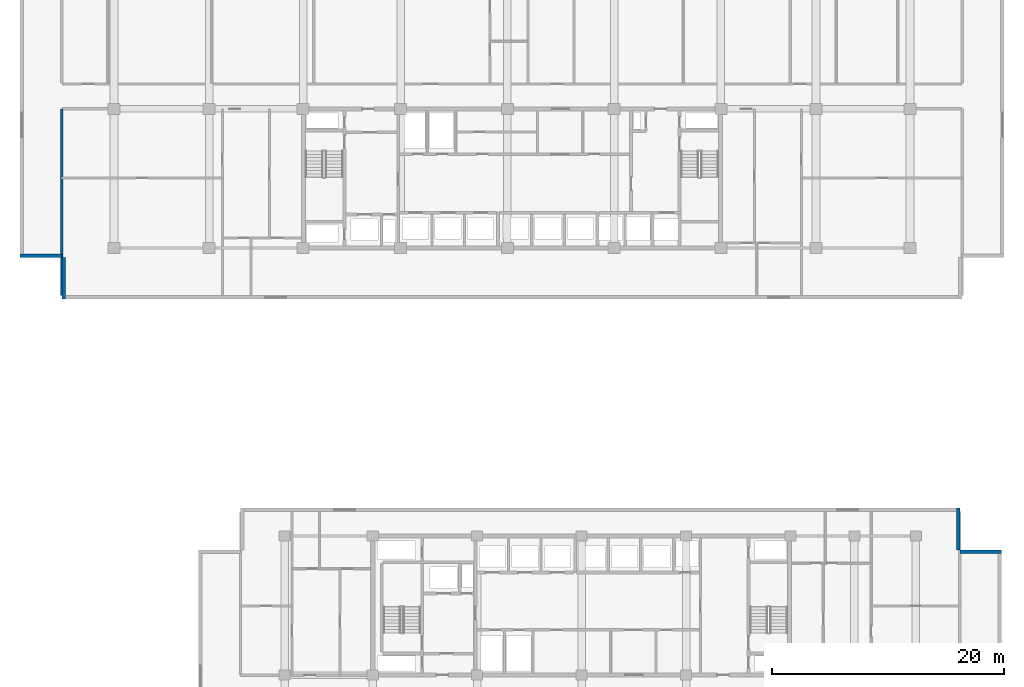
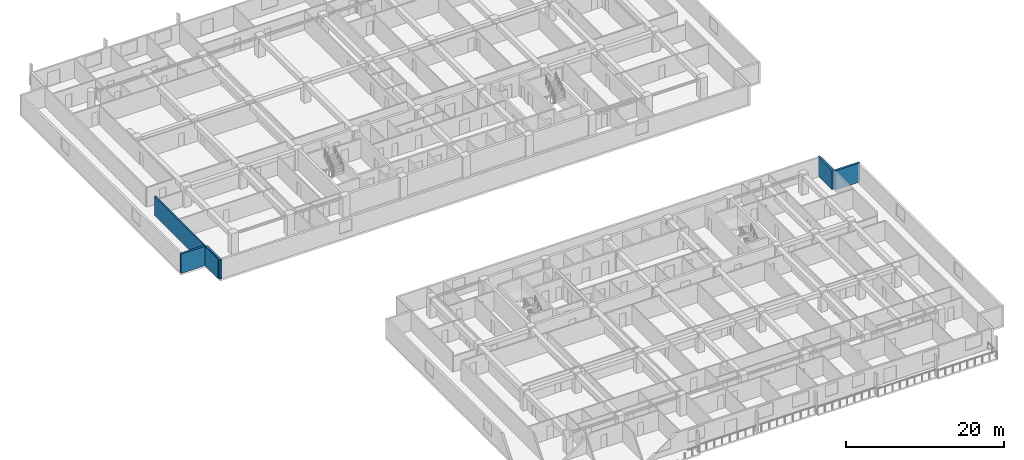
# One storey, part 9 of 23: 5 walls.
"""IFC4 building model written with IfcOpenShell, lengths in metres."""

from ifc_helpers import new_model, si_unit, direction, frame, frame_2d, origin, place, context, subcontext, project, spatial, rectangle, extrude, material, layer, layer_set, type_object, element, save


model = new_model("IFC4")

# Units and contexts
model_context = context("Model", 3, precision=1e-05, world=origin(), true_north=direction((0.0, 1.0)))
body_context = subcontext(model_context, "Body", "Model", "MODEL_VIEW")
ifc_project = project(units=[si_unit("LENGTHUNIT", "METRE"), si_unit("AREAUNIT", "SQUARE_METRE"), si_unit("VOLUMEUNIT", "CUBIC_METRE"), si_unit("PLANEANGLEUNIT", "RADIAN"), si_unit("MASSUNIT", "GRAM", prefix="KILO")], contexts=[model_context])

# Site, building, storey
site_placement = place(None, origin())
site = spatial("IfcSite", under=ifc_project, at=site_placement, CompositionType="ELEMENT")
building_placement = place(site_placement, origin())
building = spatial("IfcBuilding", under=site, at=building_placement, Name="Korimba Cascade Residences", CompositionType="ELEMENT")
storey_placement = place(building_placement, frame((0.0, 0.0, 53.25)))
storey = spatial("IfcBuildingStorey", under=building, at=storey_placement, Name="L14", CompositionType="ELEMENT", Elevation=53.25)

# Walls
ifc_material = material(Name="Precast concrete C40/50", Category="concrete")
ifc_layer_1 = layer(ifc_material, 0.300048828125)
ifc_layer_set_1 = layer_set([ifc_layer_1], Name="Precast concrete C40/50")
wall_type_1 = type_object("IfcWallType", Name="EW-STONE-300", PredefinedType="STANDARD", material=ifc_layer_set_1)
wall_1_placement = place(storey_placement, frame((51.699951171875, 54.550048828125, 0.0), z_axis=(0.0, 0.0, 1.0), x_axis=(1.0, 0.0, 0.0)))
element("IfcWall", 1, at=wall_1_placement, inside=storey, type_object=wall_type_1, Name="L14 T1 Perimeter Stone Wall E10", PredefinedType="STANDARD", context=body_context, shape_type="SweptSolid", body=[
    extrude(rectangle(XDim=3.60009765625, YDim=0.300048828125, at=frame_2d((1.800048828125, 0.0))), origin(), (0.0, 0.0, 1.0), 2.969970703125),
])
wall_2_placement = place(storey_placement, frame((55.449951171875, 54.39990234375, 0.0), z_axis=(0.0, 0.0, 1.0), x_axis=(0.0, -1.0, 0.0)))
element("IfcWall", 2, at=wall_2_placement, inside=storey, type_object=wall_type_1, Name="L14 T1 Perimeter Stone Wall E11", PredefinedType="STANDARD", context=body_context, shape_type="SweptSolid", body=[
    extrude(rectangle(XDim=3.599853515625, YDim=0.300048828125, at=frame_2d((1.7998046875, 0.0))), origin(), (0.0, 0.0, 1.0), 2.969970703125),
])
for number, where, z_axis, x_axis, name in (
    (3, (136.300048828125, 29.050048828125, 0.0), (0.0, 0.0, 1.0), (-1.0, 0.0, 0.0), "L14 T2 Perimeter Stone Wall E04"),
    (4, (132.550048828125, 29.199951171875, 0.0), (0.0, 0.0, 1.0), (0.0, 1.0, 0.0), "L14 T2 Perimeter Stone Wall E05"),
):
    element("IfcWall", number, at=place(storey_placement, frame(where, z_axis=z_axis, x_axis=x_axis)), inside=storey, type_object=wall_type_1, Name=name, PredefinedType="STANDARD", context=body_context, shape_type="SweptSolid", body=[
        extrude(rectangle(XDim=3.60009765625, YDim=0.300048828125, at=frame_2d((1.800048828125, 0.0))), origin(), (0.0, 0.0, 1.0), 2.969970703125),
    ])
ifc_layer_2 = layer(ifc_material, 0.199951171875)
ifc_layer_set_2 = layer_set([ifc_layer_2], Name="Precast concrete C40/50")
wall_type_2 = type_object("IfcWallType", Name="WAL-IT-200", PredefinedType="PARTITIONING", material=ifc_layer_set_2)
wall_3_placement = place(storey_placement, frame((55.300048828125, 51.10009765625, 0.0), z_axis=(0.0, 0.0, 1.0), x_axis=(0.0, 1.0, 0.0)))
element("IfcWall", 5, at=wall_3_placement, inside=storey, type_object=wall_type_2, Name="L14 Partition Wall WAL-L14-T1-FW-WL", PredefinedType="PARTITIONING", context=body_context, shape_type="SweptSolid", body=[
    extrude(rectangle(XDim=16.099853515625, YDim=0.199951171875, at=frame_2d((8.0498046875, 0.0))), origin(), (0.0, 0.0, 1.0), 2.969970703125),
])

save(model, "model.ifc")
